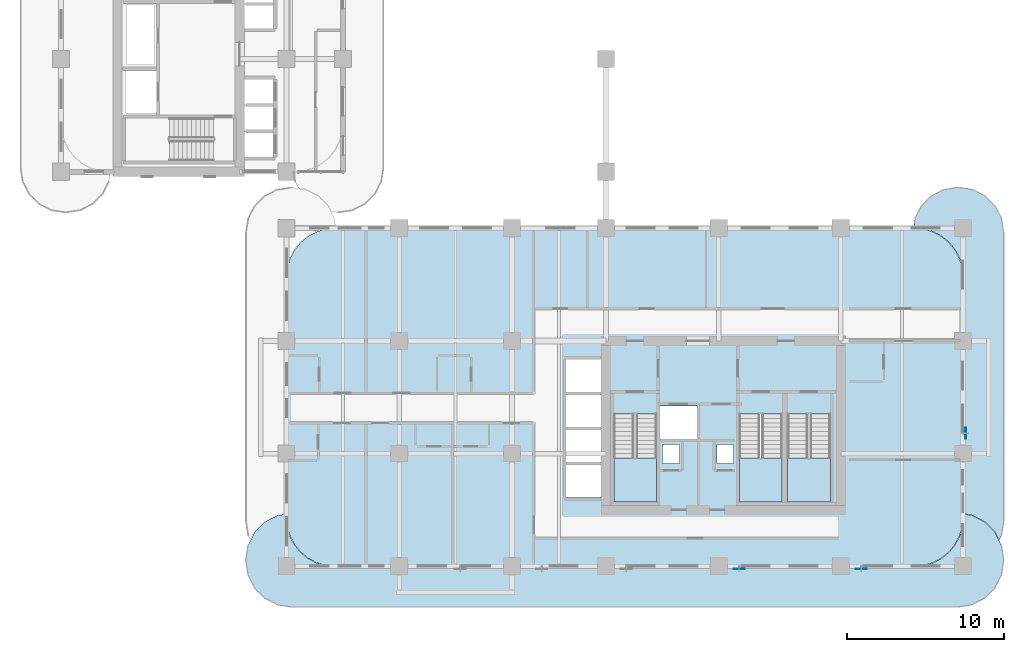
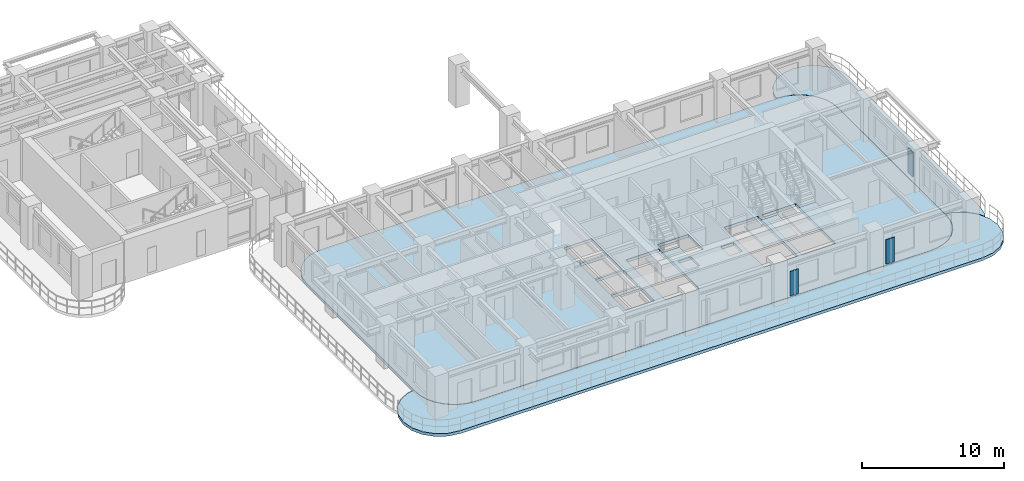
# One storey, part 5 of 19: 6 slabs, 3 plates, 3 elements without a shape of their own.
"""IFC4 building model written with IfcOpenShell, lengths in metres."""

from ifc_helpers import new_model, si_unit, derived_unit, direction, frame, origin, origin_2d, place, context, subcontext, project, spatial, polyline, rectangle, outline, extrude, source, transform, mapped, material, layer, layer_set, type_object, type_shapes, element, aggregate, save


model = new_model("IFC4")

# Units and contexts
model_context = context("Model", 3, precision=1e-05, world=origin(), true_north=direction((0.0, 1.0)))
body_context = subcontext(model_context, "Body", "Model", "MODEL_VIEW")
ifc_project = project(units=[si_unit("LENGTHUNIT", "METRE"), si_unit("AREAUNIT", "SQUARE_METRE"), si_unit("VOLUMEUNIT", "CUBIC_METRE"), si_unit("PLANEANGLEUNIT", "RADIAN"), si_unit("MASSUNIT", "GRAM", prefix="KILO"), si_unit("THERMODYNAMICTEMPERATUREUNIT", "KELVIN"), si_unit("POWERUNIT", "WATT"), derived_unit("THERMALTRANSMITTANCEUNIT", [(si_unit("POWERUNIT", "WATT"), 1), (si_unit("AREAUNIT", "SQUARE_METRE"), -1), (si_unit("THERMODYNAMICTEMPERATUREUNIT", "KELVIN"), -1)])], contexts=[model_context])

# Site, building, storey
site_placement = place(None, origin())
site = spatial("IfcSite", under=ifc_project, at=site_placement, CompositionType="ELEMENT")
building_placement = place(site_placement, origin())
building = spatial("IfcBuilding", under=site, at=building_placement, Name="Zahravan Archway Hotel and Residences", CompositionType="ELEMENT")
storey_placement = place(building_placement, frame((0.0, 0.0, 32.39990234375)))
storey = spatial("IfcBuildingStorey", under=building, at=storey_placement, Name="L06", CompositionType="ELEMENT", Elevation=32.39990234375)

# Slabs
ifc_material_1 = material(Name="Concrete C45/55", Category="concrete")
ifc_layer_1 = layer(ifc_material_1, 0.25, Name="Concrete C45/55", Category="concrete")
ifc_layer_set_1 = layer_set([ifc_layer_1], Name="Concrete C45/55")
slab_type_1 = type_object("IfcSlabType", Name="SLB-BALC-250", PredefinedType="FLOOR", material=ifc_layer_set_1)
slab_1_placement = place(storey_placement, frame((0.0, 0.0, -0.25)))
element("IfcSlab", 1, at=slab_1_placement, inside=storey, type_object=slab_type_1, Name="L06 Wing A South Rounded Balcony Band", PredefinedType="FLOOR", context=body_context, shape_type="SweptSolid", body=[
    extrude(outline(polyline([(58.16162109375, 3.255615234375), (58.98388671875, 2.836669921875), (59.63671875, 2.18408203125), (60.0556640625, 1.361572265625), (60.199951171875, 0.449951171875), (60.199951171875, 0.35009765625), (60.0556640625, -0.5615234375), (59.63671875, -1.384033203125), (58.98388671875, -2.03662109375), (58.16162109375, -2.45556640625), (57.25, -2.60009765625), (14.75, -2.60009765625), (13.83837890625, -2.45556640625), (13.01611328125, -2.03662109375), (12.36328125, -1.384033203125), (11.9443359375, -0.5615234375), (11.800048828125, 0.35009765625), (11.800048828125, 0.449951171875), (11.9443359375, 1.361572265625), (12.36328125, 2.18408203125), (13.01611328125, 2.836669921875), (13.83837890625, 3.255615234375), (14.3798828125, 3.34130859375), (14.3798828125, 3.10009765625), (14.380126953125, 3.097900390625), (14.439697265625, 2.4931640625), (14.43994140625, 2.4912109375), (14.4404296875, 2.489501953125), (14.616943359375, 1.907958984375), (14.617431640625, 1.906005859375), (14.618408203125, 1.904296875), (14.90478515625, 1.368408203125), (14.90576171875, 1.36669921875), (14.906982421875, 1.364990234375), (15.29248046875, 0.895263671875), (15.2939453125, 0.893798828125), (15.29541015625, 0.892578125), (15.764892578125, 0.5068359375), (15.7666015625, 0.505859375), (15.768310546875, 0.5048828125), (16.30419921875, 0.218505859375), (16.305908203125, 0.217529296875), (16.307861328125, 0.216796875), (16.889404296875, 0.04052734375), (16.891357421875, 0.0400390625), (16.893310546875, 0.039794921875), (17.498046875, -0.02001953125), (17.5, -0.02001953125), (54.5, -0.02001953125), (54.501953125, -0.02001953125), (55.106689453125, 0.039794921875), (55.108642578125, 0.0400390625), (55.110595703125, 0.04052734375), (55.692138671875, 0.216796875), (55.694091796875, 0.217529296875), (55.69580078125, 0.218505859375), (56.231689453125, 0.5048828125), (56.2333984375, 0.505859375), (56.235107421875, 0.5068359375), (56.70458984375, 0.892578125), (56.7060546875, 0.893798828125), (56.70751953125, 0.895263671875), (57.093017578125, 1.364990234375), (57.09423828125, 1.36669921875), (57.09521484375, 1.368408203125), (57.381591796875, 1.904296875), (57.382568359375, 1.906005859375), (57.383056640625, 1.907958984375), (57.5595703125, 2.489501953125), (57.56005859375, 2.4912109375), (57.560302734375, 2.4931640625), (57.619873046875, 3.097900390625), (57.6201171875, 3.10009765625), (57.6201171875, 3.34130859375), (58.16162109375, 3.255615234375)])), origin(), (0.0, 0.0, 1.0), 0.25),
])
slab_2_placement = place(storey_placement, frame((0.0, 0.0, -0.25)))
element("IfcSlab", 2, at=slab_2_placement, inside=storey, type_object=slab_type_1, Name="L06 Wing A East Rounded Balcony Band", PredefinedType="FLOOR", context=body_context, shape_type="SweptSolid", body=[
    extrude(outline(polyline([(54.53955078125, 22.230712890625), (54.9443359375, 23.025146484375), (55.57470703125, 23.65576171875), (56.369384765625, 24.060546875), (57.25, 24.199951171875), (57.35009765625, 24.199951171875), (58.230712890625, 24.060546875), (59.025146484375, 23.65576171875), (59.65576171875, 23.025146484375), (60.060546875, 22.230712890625), (60.199951171875, 21.35009765625), (60.199951171875, 2.85009765625), (60.060546875, 1.96923828125), (59.91455078125, 1.6826171875), (59.654296875, 2.193115234375), (59.6533203125, 2.19482421875), (59.652099609375, 2.196533203125), (59.650634765625, 2.197998046875), (58.998046875, 2.8505859375), (58.99658203125, 2.85205078125), (58.994873046875, 2.853515625), (58.9931640625, 2.8544921875), (58.170654296875, 3.2734375), (58.168701171875, 3.2744140625), (58.166748046875, 3.27490234375), (58.164794921875, 3.275390625), (57.623046875, 3.361083984375), (57.62109375, 3.361328125), (57.6201171875, 3.361328125), (57.6201171875, 18.5), (57.619873046875, 18.501953125), (57.560302734375, 19.106689453125), (57.56005859375, 19.108642578125), (57.5595703125, 19.110595703125), (57.383056640625, 19.692138671875), (57.382568359375, 19.694091796875), (57.381591796875, 19.69580078125), (57.09521484375, 20.231689453125), (57.09423828125, 20.2333984375), (57.093017578125, 20.235107421875), (56.70751953125, 20.70458984375), (56.7060546875, 20.7060546875), (56.70458984375, 20.70751953125), (56.235107421875, 21.093017578125), (56.2333984375, 21.09423828125), (56.231689453125, 21.09521484375), (55.69580078125, 21.381591796875), (55.694091796875, 21.382568359375), (55.692138671875, 21.383056640625), (55.110595703125, 21.5595703125), (55.108642578125, 21.56005859375), (55.106689453125, 21.560302734375), (54.501953125, 21.619873046875), (54.5, 21.6201171875), (54.44287109375, 21.6201171875), (54.53955078125, 22.230712890625)])), origin(), (0.0, 0.0, 1.0), 0.25),
])
ifc_layer_2 = layer(ifc_material_1, 0.25, Name="Concrete C45/55", Category="concrete")
ifc_layer_set_2 = layer_set([ifc_layer_2], Name="Concrete C45/55")
slab_type_2 = type_object("IfcSlabType", Name="SLB-FLR-250", PredefinedType="FLOOR", material=ifc_layer_set_2)
slab_3_placement = place(storey_placement, frame((0.0, 0.0, -0.25)))
element("IfcSlab", 3, at=slab_3_placement, inside=storey, type_object=slab_type_2, Name="L06 Floor Slab WA", PredefinedType="FLOOR", context=body_context, shape_type="SweptSolid", body=[
    extrude(outline(polyline([(54.5, 0.0), (55.104736328125, 0.0595703125), (55.686279296875, 0.236083984375), (56.222412109375, 0.5224609375), (56.69189453125, 0.907958984375), (57.07763671875, 1.377685546875), (57.364013671875, 1.913818359375), (57.540283203125, 2.4951171875), (57.60009765625, 3.10009765625), (57.60009765625, 18.5), (57.540283203125, 19.104736328125), (57.364013671875, 19.686279296875), (57.07763671875, 20.222412109375), (56.69189453125, 20.69189453125), (56.222412109375, 21.07763671875), (55.686279296875, 21.364013671875), (55.104736328125, 21.540283203125), (54.5, 21.60009765625), (17.5, 21.60009765625), (16.895263671875, 21.540283203125), (16.313720703125, 21.364013671875), (15.777587890625, 21.07763671875), (15.30810546875, 20.69189453125), (14.92236328125, 20.222412109375), (14.635986328125, 19.686279296875), (14.459716796875, 19.104736328125), (14.39990234375, 18.5), (14.39990234375, 3.10009765625), (14.459716796875, 2.4951171875), (14.635986328125, 1.913818359375), (14.92236328125, 1.377685546875), (15.30810546875, 0.907958984375), (15.777587890625, 0.5224609375), (16.313720703125, 0.236083984375), (16.895263671875, 0.0595703125), (17.5, 0.0), (54.5, 0.0)]), holes=[polyline([(35.300048828125, 9.72998046875), (35.300048828125, 4.10009765625), (38.0400390625, 4.10009765625), (38.0400390625, 9.72998046875), (35.300048828125, 9.72998046875)]), polyline([(43.320068359375, 9.72998046875), (43.320068359375, 4.10009765625), (46.06005859375, 4.10009765625), (46.06005859375, 9.72998046875), (43.320068359375, 9.72998046875)]), polyline([(46.39990234375, 9.72998046875), (46.39990234375, 4.10009765625), (49.139892578125, 4.10009765625), (49.139892578125, 9.72998046875), (46.39990234375, 9.72998046875)]), polyline([(38.179931640625, 8.14990234375), (40.699951171875, 8.14990234375), (40.699951171875, 10.25), (38.179931640625, 10.25), (38.179931640625, 8.14990234375)]), polyline([(32.25, 4.39990234375), (34.550048828125, 4.39990234375), (34.550048828125, 6.47998046875), (32.25, 6.47998046875), (32.25, 4.39990234375)]), polyline([(32.25, 6.639892578125), (34.550048828125, 6.639892578125), (34.550048828125, 8.719970703125), (32.25, 8.719970703125), (32.25, 6.639892578125)]), polyline([(32.25, 8.8798828125), (34.550048828125, 8.8798828125), (34.550048828125, 10.9599609375), (32.25, 10.9599609375), (32.25, 8.8798828125)]), polyline([(32.25, 11.1201171875), (34.550048828125, 11.1201171875), (34.550048828125, 13.199951171875), (32.25, 13.199951171875), (32.25, 11.1201171875)]), polyline([(38.419921875, 6.56005859375), (39.5, 6.56005859375), (39.5, 7.780029296875), (38.419921875, 7.780029296875), (38.419921875, 6.56005859375)]), polyline([(41.89990234375, 6.56005859375), (42.9599609375, 6.56005859375), (42.9599609375, 7.780029296875), (41.89990234375, 7.780029296875), (41.89990234375, 6.56005859375)])]), origin(), (0.0, 0.0, 1.0), 0.25),
])

# Stair, slab
ifc_material_2 = material(Name="Concrete C50/60", Category="concrete")
stair_type = type_object("IfcStairType", Name="STR-CORE-1300", PredefinedType="HALF_TURN_STAIR", material=ifc_material_2)
stair_1_placement = place(storey_placement, origin())
stair_1 = element("IfcStair", 4, at=stair_1_placement, inside=storey, type_object=stair_type, Name="L06 Core A Exit Stair 1", PredefinedType="HALF_TURN_STAIR")
ifc_layer_3 = layer(ifc_material_2, 0.199951171875, Name="Concrete C50/60", Category="concrete")
ifc_layer_set_3 = layer_set([ifc_layer_3], Name="Concrete C50/60")
slab_type_3 = type_object("IfcSlabType", Name="SLB-LND-200", PredefinedType="LANDING", material=ifc_layer_set_3)
slab_4_placement = place(storey_placement, frame((0.0, 0.0, 1.650146484375)))
slab_4 = element("IfcSlab", 5, at=slab_4_placement, type_object=slab_type_3, Name="ST-A1 landing 1", PredefinedType="LANDING", context=body_context, shape_type="SweptSolid", body=[
    extrude(outline(polyline([(35.300048828125, 6.929931640625), (35.300048828125, 4.10009765625), (38.0400390625, 4.10009765625), (38.0400390625, 6.929931640625), (35.300048828125, 6.929931640625)])), origin(), (0.0, 0.0, 1.0), 0.199951171875),
])
aggregate(stair_1, [slab_4])

stair_2_placement = place(storey_placement, origin())
stair_2 = element("IfcStair", 6, at=stair_2_placement, inside=storey, type_object=stair_type, Name="L06 Core A Exit Stair 2", PredefinedType="HALF_TURN_STAIR")
slab_5_placement = place(storey_placement, frame((0.0, 0.0, 1.650146484375)))
slab_5 = element("IfcSlab", 7, at=slab_5_placement, type_object=slab_type_3, Name="ST-A2 landing 1", PredefinedType="LANDING", context=body_context, shape_type="SweptSolid", body=[
    extrude(outline(polyline([(43.320068359375, 6.929931640625), (43.320068359375, 4.10009765625), (46.06005859375, 4.10009765625), (46.06005859375, 6.929931640625), (43.320068359375, 6.929931640625)])), origin(), (0.0, 0.0, 1.0), 0.199951171875),
])
aggregate(stair_2, [slab_5])

stair_3_placement = place(storey_placement, origin())
stair_3 = element("IfcStair", 8, at=stair_3_placement, inside=storey, type_object=stair_type, Name="L06 Core A Exit Stair 3", PredefinedType="HALF_TURN_STAIR")
slab_6_placement = place(storey_placement, frame((0.0, 0.0, 1.650146484375)))
slab_6 = element("IfcSlab", 9, at=slab_6_placement, type_object=slab_type_3, Name="ST-A3 landing 1", PredefinedType="LANDING", context=body_context, shape_type="SweptSolid", body=[
    extrude(outline(polyline([(46.39990234375, 6.929931640625), (46.39990234375, 4.10009765625), (49.139892578125, 4.10009765625), (49.139892578125, 6.929931640625), (46.39990234375, 6.929931640625)])), origin(), (0.0, 0.0, 1.0), 0.199951171875),
])
aggregate(stair_3, [slab_6])

# Plates
ifc_material_3 = material(Name="Perforated Cast Bronze Jali Lattice")
ifc_layer_4 = layer(ifc_material_3, 0.044921875, Name="Perforated Cast Bronze Jali Lattice")
ifc_layer_set_4 = layer_set([ifc_layer_4], Name="Perforated Cast Bronze Jali Lattice")
plate_type = type_object("IfcPlateType", Name="PLT-JALI-BAY", PredefinedType="USERDEFINED", material=ifc_layer_set_4)
shared_shape = source(origin(), body_context, "Body", "SweptSolid", [
    extrude(rectangle(XDim=0.699951171875, YDim=0.044921875, at=origin_2d()), origin(), (0.0, 0.0, 1.0), 2.10009765625),
])
type_shapes(plate_type, [shared_shape])
for number, where, z_axis, x_axis, name in (
    (10, (43.300048828125, -0.177978515625, 0.25), (0.0, 0.0, 1.0), (1.0, 0.0, 0.0), "L06 Perforated Bronze Jali Pier Screen 04"),
    (11, (51.10009765625, -0.177978515625, 0.25), (0.0, 0.0, 1.0), (1.0, 0.0, 0.0), "L06 Perforated Bronze Jali Pier Screen 05"),
    (12, (57.778076171875, 8.5, 0.25), (0.0, 0.0, 1.0), (0.0, 1.0, 0.0), "L06 Perforated Bronze Jali Pier Screen 06"),
):
    element("IfcPlate", number, at=place(storey_placement, frame(where, z_axis=z_axis, x_axis=x_axis)), inside=storey, type_object=plate_type, Name=name, ObjectType="SCREEN", PredefinedType="USERDEFINED", context=body_context, shape_type="MappedRepresentation", body=[
        mapped(shared_shape, transform((0.0, 0.0, 0.0), scale=1.0)),
    ])

save(model, "model.ifc")
